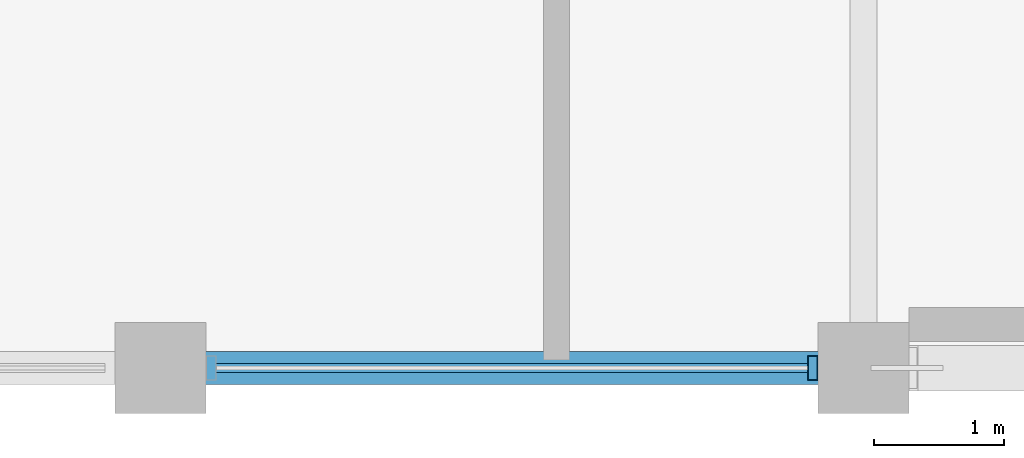
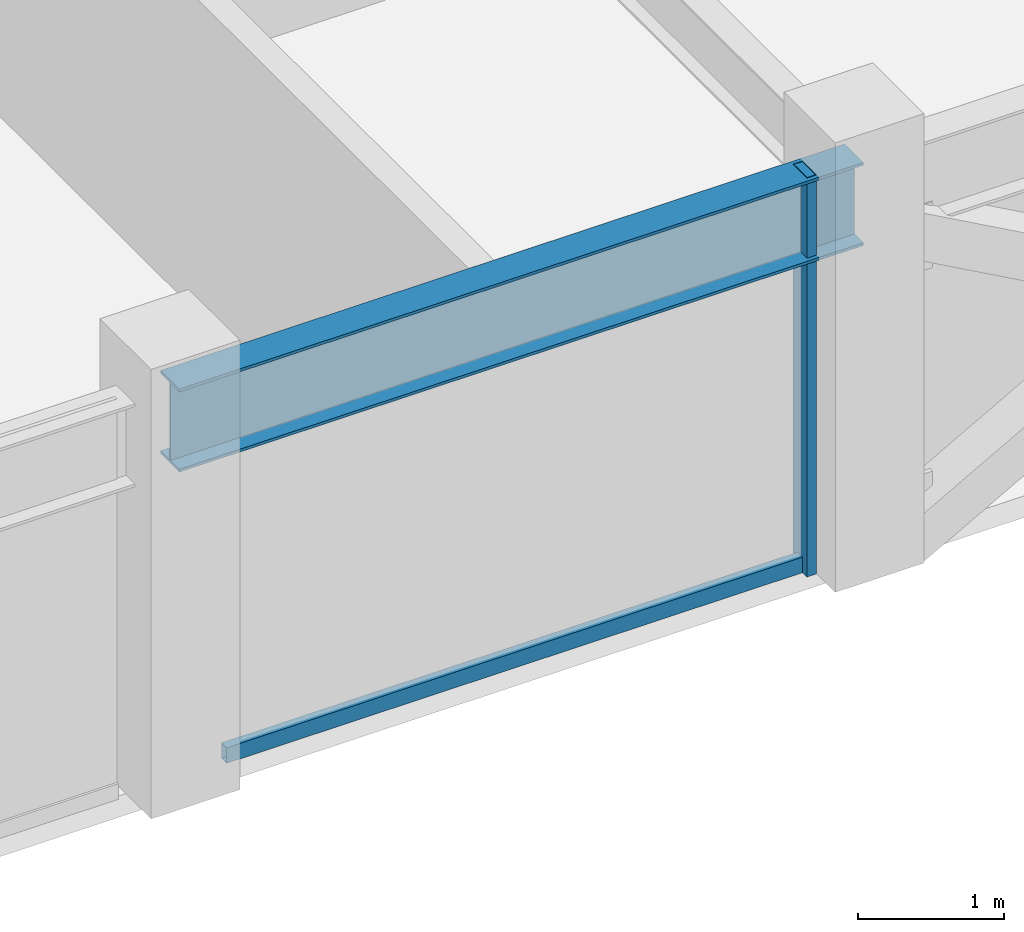
# One storey, part 3 of 31: 2 members, 1 beam, 1 element without a shape of its own.
"""IFC4 building model written with IfcOpenShell, lengths in metres."""

from ifc_helpers import new_model, si_unit, direction, frame, origin, origin_2d, place, context, subcontext, project, spatial, hollow_rectangle, i_section, extrude, material, layer, layer_set, material_profile, profile_set, type_object, element, aggregate, save


model = new_model("IFC4")

# Units and contexts
model_context = context("Model", 3, precision=1e-05, world=origin(), true_north=direction((0.0, 1.0)))
body_context = subcontext(model_context, "Body", "Model", "MODEL_VIEW")
ifc_project = project(units=[si_unit("LENGTHUNIT", "METRE"), si_unit("AREAUNIT", "SQUARE_METRE"), si_unit("VOLUMEUNIT", "CUBIC_METRE"), si_unit("PLANEANGLEUNIT", "RADIAN"), si_unit("MASSUNIT", "GRAM", prefix="KILO")], contexts=[model_context])

# Site, building, storey
site_placement = place(None, origin())
site = spatial("IfcSite", under=ifc_project, at=site_placement, CompositionType="ELEMENT")
building_placement = place(site_placement, origin())
building = spatial("IfcBuilding", under=site, at=building_placement, Name="Surkhivell Harbour Commons", CompositionType="ELEMENT")
storey_placement = place(building_placement, frame((0.0, 0.0, 333.75)))
storey = spatial("IfcBuildingStorey", under=building, at=storey_placement, Name="L87", CompositionType="ELEMENT", Elevation=333.75)

# Beam
ifc_material_1 = material(Name="Steel S355", Category="steel")
ifc_material_profile_1 = material_profile(ifc_material_1, i_section(OverallWidth=0.256103515625, OverallDepth=0.693115234375, WebThickness=0.014404296875, FlangeThickness=0.023681640625, at=origin_2d()), Name="UB686x254x170")
ifc_profile_set_1 = profile_set([ifc_material_profile_1], Name="Steel S355")
beam_type = type_object("IfcBeamType", Name="BM-SPN-686", PredefinedType="SPANDREL", material=ifc_profile_set_1)
beam_placement = place(storey_placement, frame((-16.199951171875, -21.60009765625, 2.9833984375), z_axis=(1.0, 0.0, 0.0), x_axis=(0.0, 1.0, 0.0)))
element("IfcBeam", 1, at=beam_placement, inside=storey, type_object=beam_type, Name="L87 Tube Spandrel (-16.2,-21.6)", PredefinedType="SPANDREL", context=body_context, shape_type="SweptSolid", body=[
    extrude(i_section(OverallWidth=0.256103515625, OverallDepth=0.693115234375, WebThickness=0.014404296875, FlangeThickness=0.023681640625, at=origin_2d()), origin(), (0.0, 0.0, 1.0), 5.39990234375),
])

# Curtain wall, members
ifc_material_2 = material(Name="Anodised pale-metal aluminium and insulated glazing", Category="aluminium")
ifc_layer = layer(ifc_material_2, 0.175048828125)
ifc_layer_set = layer_set([ifc_layer], Name="Anodised pale-metal aluminium and insulated glazing")
curtain_wall_type = type_object("IfcCurtainWallType", Name="CW-SYS-Z4", PredefinedType="NOTDEFINED", material=ifc_layer_set)
curtain_wall_placement = place(storey_placement, origin())
curtain_wall = element("IfcCurtainWall", 2, at=curtain_wall_placement, inside=storey, type_object=curtain_wall_type, Name="L87 Curtain Wall CW-L87-E00S1", PredefinedType="NOTDEFINED")
ifc_material_3 = material(Name="Anodised pale-metal aluminium alloy 6063-T6", Category="aluminium")
ifc_material_profile_2 = material_profile(ifc_material_3, hollow_rectangle(XDim=0.074951171875, YDim=0.18994140625, WallThickness=0.00390625, at=origin_2d()), Name="ALU-MULL-75x190")
ifc_profile_set_2 = profile_set([ifc_material_profile_2], Name="Anodised pale-metal aluminium alloy 6063-T6")
member_type_1 = type_object("IfcMemberType", Name="CWM-190", PredefinedType="MULLION", material=ifc_profile_set_2)
member_1_placement = place(storey_placement, frame((-11.189453125, -21.60009765625, 0.0), z_axis=(0.0, 0.0, 1.0), x_axis=(1.0, 0.0, 0.0)))
member_1 = element("IfcMember", 3, at=member_1_placement, type_object=member_type_1, Name="CW-Z4 mullion 3", PredefinedType="MULLION", context=body_context, shape_type="SweptSolid", body=[
    extrude(hollow_rectangle(XDim=0.074951171875, YDim=0.18994140625, WallThickness=0.00390625, at=origin_2d()), origin(), (0.0, 0.0, 1.0), 3.330078125),
])
ifc_material_4 = material(Name="Champagne anodised aluminium alloy 6063-T6", Category="aluminium")
ifc_material_profile_3 = material_profile(ifc_material_4, hollow_rectangle(XDim=0.070068359375, YDim=0.1298828125, WallThickness=0.00341796875, at=origin_2d()), Name="ALU-TRAN-70x130")
ifc_profile_set_3 = profile_set([ifc_material_profile_3], Name="Champagne anodised aluminium alloy 6063-T6")
member_type_2 = type_object("IfcMemberType", Name="CWT-130", PredefinedType="USERDEFINED", material=ifc_profile_set_3)
member_2_placement = place(storey_placement, frame((-15.77294921875, -21.60009765625, 0.06494140625), z_axis=(1.0, 0.0, 0.0), x_axis=(0.0, 1.0, 0.0)))
member_2 = element("IfcMember", 4, at=member_2_placement, type_object=member_type_2, Name="CW-Z4 transom 2.1", ObjectType="TRANSOM", PredefinedType="USERDEFINED", context=body_context, shape_type="SweptSolid", body=[
    extrude(hollow_rectangle(XDim=0.070068359375, YDim=0.1298828125, WallThickness=0.00341796875, at=origin_2d()), origin(), (0.0, 0.0, 1.0), 4.5458984375),
])
aggregate(curtain_wall, [member_1, member_2])

save(model, "model.ifc")
